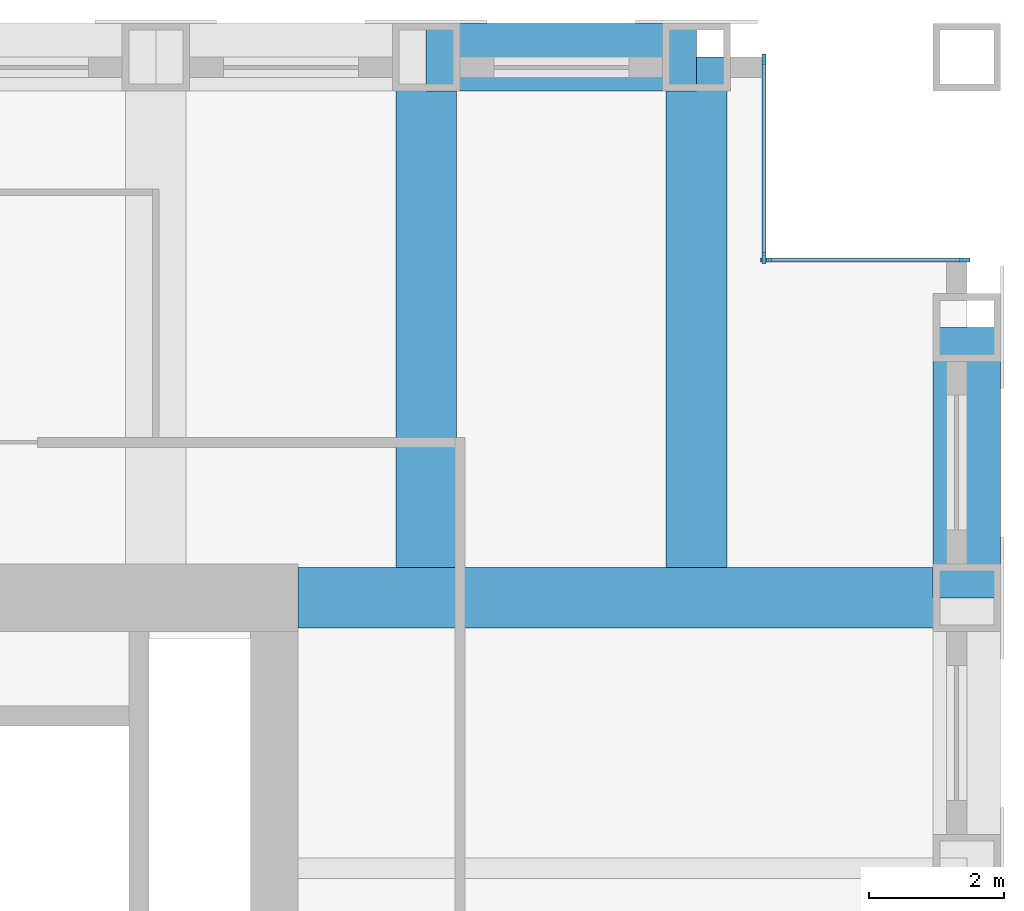
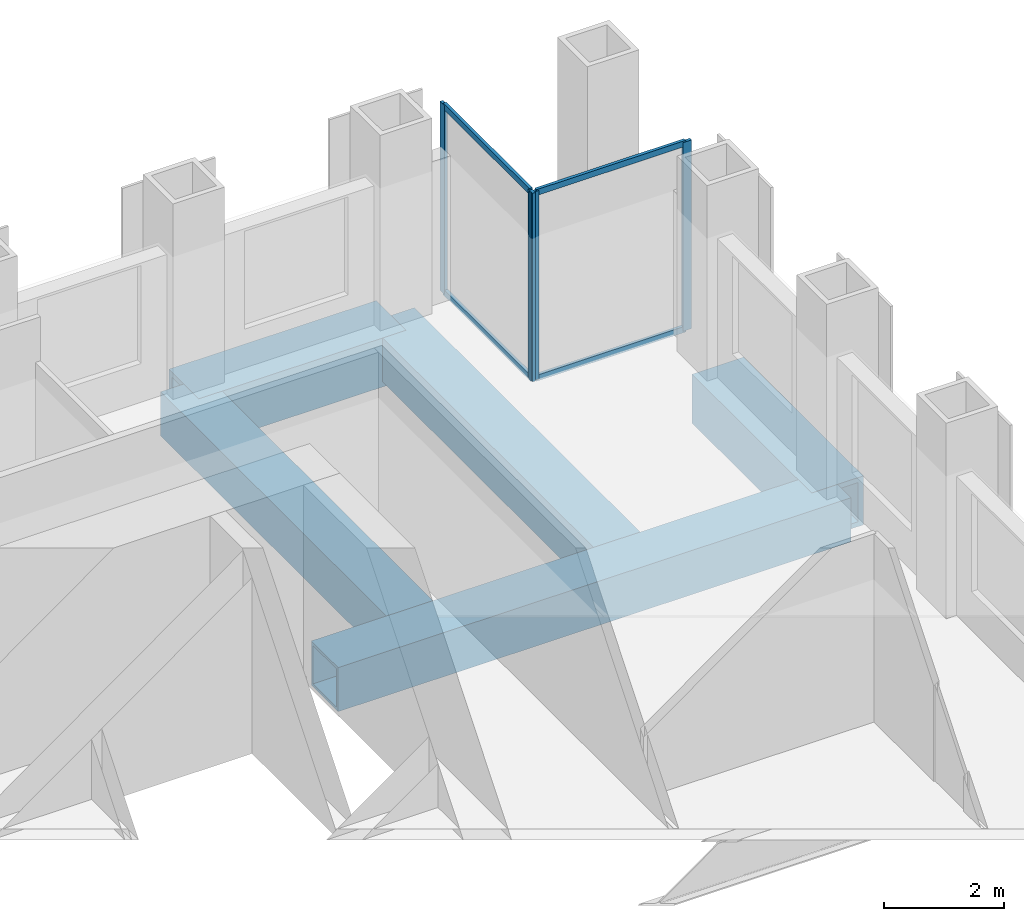
# One storey, part 6 of 11: 8 members, 5 beams, 2 elements without a shape of their own.
"""IFC4 building model written with IfcOpenShell, lengths in metres."""

import ifcopenshell
import ifcopenshell.guid

model = None  # the IFC model being written
_history = None  # IfcOwnerHistory: only IFC2X3 demands one
_inside = {}  # id of a spatial element -> (the spatial element, [elements in it])
_under = {}  # id of a project, library or spatial element -> (it, [spatial elements below it])
_declared = {}  # id of a project -> (the project, [libraries it declares])
_typed = {}  # id of a type object -> (the type object, [elements of that type])
_made_of = {}  # id of a material, layer set ... -> (it, [elements and type objects made of it])


def new_model(schema):
    """Start an empty IFC model of exactly this schema.

    Asked for "IFC4X3", IfcOpenShell would pick the latest addendum, in which some entities
    have other attributes; the version numbers below select the first issue.
    IFC2X3 requires an IfcOwnerHistory on every rooted entity: one is made here for all.
    """
    global model, _history
    if schema == "IFC4X3":
        model = ifcopenshell.file(schema_version=(4, 3, 0, 0))
    else:
        model = ifcopenshell.file(schema=schema)
    _inside.clear()
    _under.clear()
    _declared.clear()
    _typed.clear()
    _made_of.clear()
    _history = None
    if model.schema == "IFC2X3":
        org = make("IfcOrganization", Name="unknown")
        user = make(
            "IfcPersonAndOrganization",
            ThePerson=make("IfcPerson", FamilyName="unknown"),
            TheOrganization=org,
        )
        app = make(
            "IfcApplication",
            ApplicationDeveloper=org,
            Version="unknown",
            ApplicationFullName="unknown",
            ApplicationIdentifier="unknown",
        )
        _history = make(
            "IfcOwnerHistory",
            OwningUser=user,
            OwningApplication=app,
            ChangeAction="ADDED",
            CreationDate=0,
        )
    return model


def make(cls, **values):
    """One entity of the class cls with the attributes given. An attribute that is None is left unset."""
    return model.create_entity(
        cls, **{name: value for name, value in values.items() if value is not None}
    )


def rooted(cls, **values):
    """An entity with a GlobalId (a new one), such as an element, a storey or a relation."""
    return make(cls, GlobalId=ifcopenshell.guid.new(), OwnerHistory=_history, **values)


def si_unit(unit_type, name, prefix=None):
    """IfcSIUnit, for example si_unit("LENGTHUNIT", "METRE", prefix="MILLI")."""
    return make("IfcSIUnit", UnitType=unit_type, Prefix=prefix, Name=name)


def assignment(units):
    """IfcUnitAssignment: the units of a project."""
    return None if units is None else make("IfcUnitAssignment", Units=units)


def point(xyz):
    """IfcCartesianPoint."""
    return None if xyz is None else make("IfcCartesianPoint", Coordinates=xyz)


def direction(xyz):
    """IfcDirection."""
    return None if xyz is None else make("IfcDirection", DirectionRatios=xyz)


def frame(location, z_axis=None, x_axis=None):
    """IfcAxis2Placement3D, a coordinate frame: its origin and axes. An axis left out is left unset."""
    return make(
        "IfcAxis2Placement3D",
        Location=point(location),
        Axis=direction(z_axis),
        RefDirection=direction(x_axis),
    )


def frame_2d(location, x_axis=None):
    """IfcAxis2Placement2D, a coordinate frame in the plane: its origin and x axis."""
    return make(
        "IfcAxis2Placement2D", Location=point(location), RefDirection=direction(x_axis)
    )


def origin():
    """The frame at (0, 0, 0) with its axes left unset."""
    return frame((0.0, 0.0, 0.0))


def origin_2d():
    """The frame at (0, 0) in the plane with its x axis left unset."""
    return frame_2d((0.0, 0.0))


def place(relative_to, where):
    """IfcLocalPlacement: puts the frame where relative to a parent placement (None: the world)."""
    return make(
        "IfcLocalPlacement", PlacementRelTo=relative_to, RelativePlacement=where
    )


def context(
    kind, dimensions, precision=None, world=None, true_north=None, identifier=None
):
    """IfcGeometricRepresentationContext, for example the 3D "Model" context."""
    return make(
        "IfcGeometricRepresentationContext",
        ContextIdentifier=identifier,
        ContextType=kind,
        CoordinateSpaceDimension=dimensions,
        Precision=precision,
        WorldCoordinateSystem=world,
        TrueNorth=true_north,
    )


def subcontext(parent, identifier, kind, view, scale=None):
    """IfcGeometricRepresentationSubContext, for example "Body" below "Model"."""
    return make(
        "IfcGeometricRepresentationSubContext",
        ContextIdentifier=identifier,
        ContextType=kind,
        ParentContext=parent,
        TargetScale=scale,
        TargetView=view,
    )


def project(units=None, contexts=None):
    """IfcProject with its units and contexts."""
    return rooted(
        "IfcProject",
        Name="project",
        RepresentationContexts=contexts,
        UnitsInContext=assignment(units),
    )


def spatial(cls, under=None, at=None, **own):
    """A site, building, storey or space (cls), placed at a placement, below another one or the project."""
    s = rooted(cls, ObjectPlacement=at, **own)
    if under is not None:
        _under.setdefault(under.id(), (under, []))[1].append(s)
    return s


def profile(cls, at=None, kind="AREA", **sizes):
    """A parametric profile (cls). Its sizes go by their IFC names, for example OverallWidth=200.0."""
    return make(cls, ProfileType=kind, Position=at, **sizes)


def rectangle(**sizes):
    """IfcRectangleProfileDef."""
    return profile("IfcRectangleProfileDef", **sizes)


def hollow_rectangle(**sizes):
    """IfcRectangleHollowProfileDef."""
    return profile("IfcRectangleHollowProfileDef", **sizes)


def extrude(swept, where, along, depth):
    """IfcExtrudedAreaSolid: the profile swept, set in the frame where, extruded along a direction by depth."""
    return make(
        "IfcExtrudedAreaSolid",
        SweptArea=swept,
        Position=where,
        ExtrudedDirection=direction(along),
        Depth=depth,
    )


def shape(context_of_items, identifier, shape_type, items):
    """IfcShapeRepresentation: the items that make up one representation, for example the "Body"."""
    return make(
        "IfcShapeRepresentation",
        ContextOfItems=context_of_items,
        RepresentationIdentifier=identifier,
        RepresentationType=shape_type,
        Items=items,
    )


def material(Name=None, Category=None):
    """IfcMaterial."""
    return make("IfcMaterial", Name=Name, Category=Category)


def material_profile(
    of_material, cross_section, Name=None, Category=None, Priority=None
):
    """IfcMaterialProfile: a cross section and its material."""
    return make(
        "IfcMaterialProfile",
        Name=Name,
        Material=of_material,
        Profile=cross_section,
        Priority=Priority,
        Category=Category,
    )


def profile_set(profiles, Name=None, composite=None):
    """IfcMaterialProfileSet."""
    return make(
        "IfcMaterialProfileSet",
        Name=Name,
        MaterialProfiles=profiles,
        CompositeProfile=composite,
    )


def made_of(thing, what):
    """Note that an element or type object is made of a material, layer set ...; save() writes the relation."""
    if what is not None:
        _made_of.setdefault(what.id(), (what, []))[1].append(thing)
    return thing


def type_object(cls, material=None, **own):
    """A type object (cls), such as IfcWallType, which elements share."""
    return made_of(rooted(cls, **own), material)


def element(
    cls,
    number,
    at=None,
    inside=None,
    cuts=None,
    type_object=None,
    material=None,
    context=None,
    identifier="Body",
    shape_type=None,
    held_by="IfcProductDefinitionShape",
    body=None,
    shapes=None,
    **own,
):
    """One element of the class cls, such as IfcWall. Its Tag is "e" and its number.

    at: its placement. inside: the storey or other place that contains it. cuts: it is an
    opening in that element (IfcRelVoidsElement). A single representation is given by context,
    identifier, shape_type and body (its items); several are given by shapes. held_by: the class
    of the entity that holds the representations. save() writes the other relations.
    """
    e = rooted(cls, Tag="e%d" % number, ObjectPlacement=at, **own)
    if body is not None:
        shapes = [shape(context, identifier, shape_type, body)]
    if shapes is not None:
        e.Representation = make(held_by, Representations=shapes)
    if inside is not None:
        _inside.setdefault(inside.id(), (inside, []))[1].append(e)
    if cuts is not None:
        rooted(
            "IfcRelVoidsElement", RelatingBuildingElement=cuts, RelatedOpeningElement=e
        )
    if type_object is not None:
        _typed.setdefault(type_object.id(), (type_object, []))[1].append(e)
    return made_of(e, material)


def aggregate(whole, parts):
    """IfcRelAggregates: a whole, such as a stair, and the parts it consists of."""
    return rooted("IfcRelAggregates", RelatingObject=whole, RelatedObjects=parts)


def save(model, path):
    """Write the relations noted so far, then the file.

    IfcRelAggregates (storeys below a building ...), IfcRelContainedInSpatialStructure (elements
    in a storey), IfcRelDefinesByType, IfcRelAssociatesMaterial and IfcRelDeclares: one each for
    every whole, place, type object, material and project.
    """
    for whole, parts in _under.values():
        aggregate(whole, parts)
    for where, things in _inside.values():
        rooted(
            "IfcRelContainedInSpatialStructure",
            RelatedElements=things,
            RelatingStructure=where,
        )
    for kind, things in _typed.values():
        rooted("IfcRelDefinesByType", RelatedObjects=things, RelatingType=kind)
    for what, things in _made_of.values():
        rooted("IfcRelAssociatesMaterial", RelatedObjects=things, RelatingMaterial=what)
    for by, libraries in _declared.values():
        rooted("IfcRelDeclares", RelatingContext=by, RelatedDefinitions=libraries)
    model.write(path)


model = new_model("IFC4")

# Units and contexts
model_context = context("Model", 3, precision=1e-05, world=origin(), true_north=direction((0.0, 1.0)))
body_context = subcontext(model_context, "Body", "Model", "MODEL_VIEW")
ifc_project = project(units=[si_unit("LENGTHUNIT", "METRE"), si_unit("AREAUNIT", "SQUARE_METRE"), si_unit("VOLUMEUNIT", "CUBIC_METRE"), si_unit("PLANEANGLEUNIT", "RADIAN"), si_unit("MASSUNIT", "GRAM", prefix="KILO")], contexts=[model_context])

# Site, building, storey
site_placement = place(None, origin())
site = spatial("IfcSite", under=ifc_project, at=site_placement, CompositionType="ELEMENT")
building_placement = place(site_placement, origin())
building = spatial("IfcBuilding", under=site, at=building_placement, Name="Rimbunsela Tower", CompositionType="ELEMENT")
storey_placement = place(building_placement, frame((0.0, 0.0, 282.199951171875)))
storey = spatial("IfcBuildingStorey", under=building, at=storey_placement, Name="L68", CompositionType="ELEMENT", Elevation=282.199951171875)

# Beams
ifc_material_1 = material(Name="Steel BJ 55 (fy 410 MPa)", Category="steel")
ifc_material_profile_1 = material_profile(ifc_material_1, hollow_rectangle(XDim=1.0, YDim=1.0, WallThickness=0.10009765625, at=origin_2d()), Name="BOX 1000x1000x100")
ifc_profile_set_1 = profile_set([ifc_material_profile_1], Name="Steel BJ 55 (fy 410 MPa)")
beam_type_1 = type_object("IfcBeamType", Name="Beam BOX 1000x1000x100", PredefinedType="BEAM", material=ifc_profile_set_1)
for number, where, z_axis, x_axis, name in (
    (1, (38.0, 44.0, -0.64990234375), (1.0, 0.0, 0.0), (0.0, 1.0, 0.0), "Beam B3 L68"),
    (2, (46.0, 36.0, -0.64990234375), (0.0, 1.0, 0.0), (-1.0, 0.0, 0.0), "Beam B3 L68"),
):
    element("IfcBeam", number, at=place(storey_placement, frame(where, z_axis=z_axis, x_axis=x_axis)), inside=storey, type_object=beam_type_1, Name=name, PredefinedType="BEAM", context=body_context, shape_type="SweptSolid", body=[
        extrude(hollow_rectangle(XDim=1.0, YDim=1.0, WallThickness=0.10009765625, at=origin_2d()), origin(), (0.0, 0.0, 1.0), 4.0),
    ])
ifc_material_2 = material(Name="Steel BJ 55 (fy 410 MPa)", Category="steel")
ifc_material_profile_2 = material_profile(ifc_material_2, hollow_rectangle(XDim=0.89990234375, YDim=0.89990234375, WallThickness=0.06005859375, at=origin_2d()), Name="BOX 900x900x60")
ifc_profile_set_2 = profile_set([ifc_material_profile_2], Name="Steel BJ 55 (fy 410 MPa)")
beam_type_2 = type_object("IfcBeamType", Name="Beam BOX 900x900x60", PredefinedType="BEAM", material=ifc_profile_set_2)
beam_placement = place(storey_placement, frame((36.10009765625, 36.0, -0.599853515625), z_axis=(1.0, 0.0, 0.0), x_axis=(0.0, 1.0, 0.0)))
element("IfcBeam", 3, at=beam_placement, inside=storey, type_object=beam_type_2, Name="Beam B1 L68", PredefinedType="BEAM", context=body_context, shape_type="SweptSolid", body=[
    extrude(hollow_rectangle(XDim=0.89990234375, YDim=0.89990234375, WallThickness=0.06005859375, at=origin_2d()), origin(), (0.0, 0.0, 1.0), 9.89990234375),
])
for number, where, z_axis, x_axis, name in (
    (4, (38.0, 36.449951171875, -0.599853515625), (0.0, 1.0, 0.0), (-1.0, 0.0, 0.0), "Beam B1 L68"),
    (5, (42.0, 36.449951171875, -0.599853515625), (0.0, 1.0, 0.0), (-1.0, 0.0, 0.0), "Beam B1 L68"),
):
    element("IfcBeam", number, at=place(storey_placement, frame(where, z_axis=z_axis, x_axis=x_axis)), inside=storey, type_object=beam_type_2, Name=name, PredefinedType="BEAM", context=body_context, shape_type="SweptSolid", body=[
        extrude(hollow_rectangle(XDim=0.89990234375, YDim=0.89990234375, WallThickness=0.06005859375, at=origin_2d()), origin(), (0.0, 0.0, 1.0), 7.550048828125),
    ])

# Curtain wall, members
ifc_material_3 = material(Name="Aluminium curtain wall", Category="aluminium")
curtain_wall_type = type_object("IfcCurtainWallType", Name="Corner glazing", PredefinedType="USERDEFINED", material=ifc_material_3)
curtain_wall_1_placement = place(storey_placement, origin())
curtain_wall_1 = element("IfcCurtainWall", 6, at=curtain_wall_1_placement, inside=storey, type_object=curtain_wall_type, Name="Corner glazing L68", ObjectType="CORNER GLAZING", PredefinedType="USERDEFINED")
ifc_material_4 = material(Name="Aluminium mullion", Category="aluminium")
ifc_material_profile_3 = material_profile(ifc_material_4, rectangle(XDim=0.06005859375, YDim=0.159912109375, at=origin_2d()), Name="Mullion 60x160")
ifc_profile_set_3 = profile_set([ifc_material_profile_3], Name="Aluminium mullion")
member_type_1 = type_object("IfcMemberType", Name="Curtain wall mullion 60x160", PredefinedType="MULLION", material=ifc_profile_set_3)
member_1_placement = place(storey_placement, frame((45.969970703125, 41.0, 0.0), z_axis=(0.0, 0.0, 1.0), x_axis=(0.0, -1.0, 0.0)))
member_1 = element("IfcMember", 7, at=member_1_placement, type_object=member_type_1, Name="CW5 mullion 1", PredefinedType="MULLION", context=body_context, shape_type="SweptSolid", body=[
    extrude(rectangle(XDim=0.06005859375, YDim=0.159912109375, at=origin_2d()), origin(), (0.0, 0.0, 1.0), 3.85009765625),
])
member_2_placement = place(storey_placement, frame((43.030029296875, 41.0, 0.0), z_axis=(0.0, 0.0, 1.0), x_axis=(0.0, -1.0, 0.0)))
member_2 = element("IfcMember", 8, at=member_2_placement, type_object=member_type_1, Name="CW5 mullion 2", PredefinedType="MULLION", context=body_context, shape_type="SweptSolid", body=[
    extrude(rectangle(XDim=0.06005859375, YDim=0.159912109375, at=origin_2d()), origin(), (0.0, 0.0, 1.0), 3.85009765625),
])

curtain_wall_2_placement = place(storey_placement, origin())
curtain_wall_2 = element("IfcCurtainWall", 9, at=curtain_wall_2_placement, inside=storey, type_object=curtain_wall_type, Name="Corner glazing L68", ObjectType="CORNER GLAZING", PredefinedType="USERDEFINED")
member_3_placement = place(storey_placement, frame((43.0, 41.030029296875, 0.0), z_axis=(0.0, 0.0, 1.0), x_axis=(-1.0, 0.0, 0.0)))
member_3 = element("IfcMember", 10, at=member_3_placement, type_object=member_type_1, Name="CW5 mullion 1", PredefinedType="MULLION", context=body_context, shape_type="SweptSolid", body=[
    extrude(rectangle(XDim=0.06005859375, YDim=0.159912109375, at=origin_2d()), origin(), (0.0, 0.0, 1.0), 3.85009765625),
])
member_4_placement = place(storey_placement, frame((43.0, 43.969970703125, 0.0), z_axis=(0.0, 0.0, 1.0), x_axis=(-1.0, 0.0, 0.0)))
member_4 = element("IfcMember", 11, at=member_4_placement, type_object=member_type_1, Name="CW5 mullion 2", PredefinedType="MULLION", context=body_context, shape_type="SweptSolid", body=[
    extrude(rectangle(XDim=0.06005859375, YDim=0.159912109375, at=origin_2d()), origin(), (0.0, 0.0, 1.0), 3.85009765625),
])

# Member
ifc_material_5 = material(Name="Aluminium transom", Category="aluminium")
ifc_material_profile_4 = material_profile(ifc_material_5, rectangle(XDim=0.06005859375, YDim=0.1201171875, at=origin_2d()), Name="Transom 60x120")
ifc_profile_set_4 = profile_set([ifc_material_profile_4], Name="Aluminium transom")
member_type_2 = type_object("IfcMemberType", Name="Curtain wall transom 60x120", PredefinedType="USERDEFINED", material=ifc_profile_set_4)
member_5_placement = place(storey_placement, frame((45.93994140625, 41.0, 0.030029296875), z_axis=(-1.0, 0.0, 0.0), x_axis=(0.0, -1.0, 0.0)))
member_5 = element("IfcMember", 12, at=member_5_placement, type_object=member_type_2, Name="CW5 transom 1.1", ObjectType="TRANSOM", PredefinedType="USERDEFINED", context=body_context, shape_type="SweptSolid", body=[
    extrude(rectangle(XDim=0.06005859375, YDim=0.1201171875, at=origin_2d()), origin(), (0.0, 0.0, 1.0), 2.8798828125),
])

member_6_placement = place(storey_placement, frame((45.93994140625, 41.0, 3.820068359375), z_axis=(-1.0, 0.0, 0.0), x_axis=(0.0, -1.0, 0.0)))
member_6 = element("IfcMember", 13, at=member_6_placement, type_object=member_type_2, Name="CW5 transom 1.2", ObjectType="TRANSOM", PredefinedType="USERDEFINED", context=body_context, shape_type="SweptSolid", body=[
    extrude(rectangle(XDim=0.06005859375, YDim=0.1201171875, at=origin_2d()), origin(), (0.0, 0.0, 1.0), 2.8798828125),
])

aggregate(curtain_wall_1, [member_1, member_2, member_5, member_6])

member_7_placement = place(storey_placement, frame((43.0, 41.06005859375, 0.030029296875), z_axis=(0.0, 1.0, 0.0), x_axis=(-1.0, 0.0, 0.0)))
member_7 = element("IfcMember", 14, at=member_7_placement, type_object=member_type_2, Name="CW5 transom 1.1", ObjectType="TRANSOM", PredefinedType="USERDEFINED", context=body_context, shape_type="SweptSolid", body=[
    extrude(rectangle(XDim=0.06005859375, YDim=0.1201171875, at=origin_2d()), origin(), (0.0, 0.0, 1.0), 2.8798828125),
])

member_8_placement = place(storey_placement, frame((43.0, 41.06005859375, 3.820068359375), z_axis=(0.0, 1.0, 0.0), x_axis=(-1.0, 0.0, 0.0)))
member_8 = element("IfcMember", 15, at=member_8_placement, type_object=member_type_2, Name="CW5 transom 1.2", ObjectType="TRANSOM", PredefinedType="USERDEFINED", context=body_context, shape_type="SweptSolid", body=[
    extrude(rectangle(XDim=0.06005859375, YDim=0.1201171875, at=origin_2d()), origin(), (0.0, 0.0, 1.0), 2.8798828125),
])

aggregate(curtain_wall_2, [member_3, member_4, member_7, member_8])

save(model, "model.ifc")
